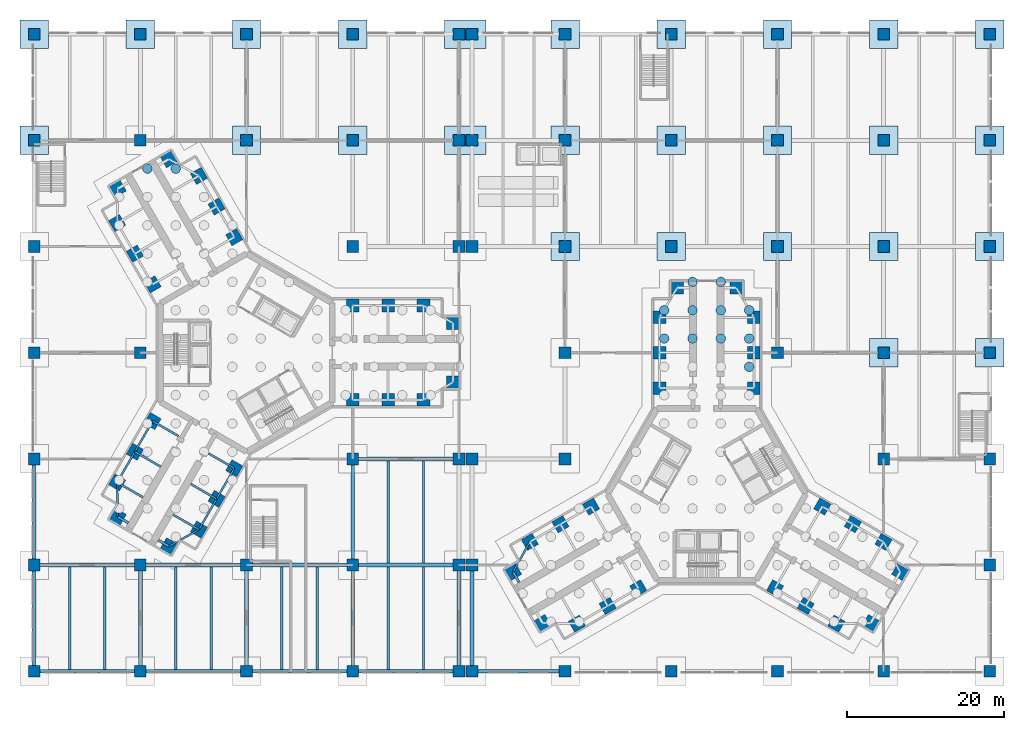
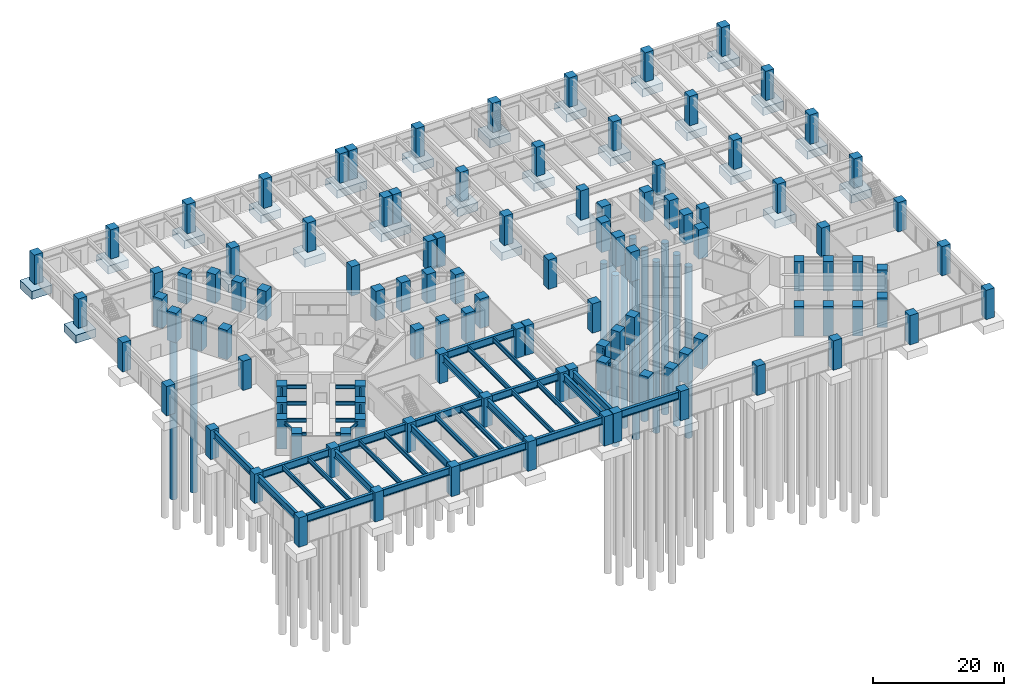
# One storey, part 2 of 18: 110 columns, 44 beams, 26 footings, 13 piles.
"""IFC4 building model written with IfcOpenShell, lengths in metres."""

from ifc_helpers import new_model, si_unit, direction, frame, origin, origin_2d, place, context, subcontext, project, spatial, rectangle, circle, i_section, extrude, material, material_profile, profile_set, type_object, element, save


model = new_model("IFC4")

# Units and contexts
model_context = context("Model", 3, precision=1e-05, world=origin(), true_north=direction((0.0, 1.0)))
body_context = subcontext(model_context, "Body", "Model", "MODEL_VIEW")
ifc_project = project(units=[si_unit("LENGTHUNIT", "METRE"), si_unit("AREAUNIT", "SQUARE_METRE"), si_unit("VOLUMEUNIT", "CUBIC_METRE"), si_unit("PLANEANGLEUNIT", "RADIAN"), si_unit("MASSUNIT", "GRAM", prefix="KILO")], contexts=[model_context])

# Site, building, storey
site_placement = place(None, origin())
site = spatial("IfcSite", under=ifc_project, at=site_placement, CompositionType="ELEMENT")
building_placement = place(site_placement, origin())
building = spatial("IfcBuilding", under=site, at=building_placement, Name="Upepo Twin Towers", CompositionType="ELEMENT")
storey_placement = place(building_placement, origin())
storey = spatial("IfcBuildingStorey", under=building, at=storey_placement, Name="L00", CompositionType="ELEMENT", Elevation=0.0)

# Piles
ifc_material_1 = material(Name="Concrete C40/50", Category="concrete")
pile_type = type_object("IfcPileType", Name="Bored pile 1200 dia", PredefinedType="BORED", material=ifc_material_1)
for number, where, z_axis, x_axis, name in (
    (1, (-12.60009765625, 23.39990234375, -3.199951171875), (0.0, 0.0, -1.0), (1.0, 0.0, 0.0), "T1 bored pile 14"),
    (2, (-9.0, 23.39990234375, -3.199951171875), (0.0, 0.0, -1.0), (1.0, 0.0, 0.0), "T1 bored pile 28"),
    (3, (53.10009765625, 1.800048828125, -3.199951171875), (0.0, 0.0, -1.0), (1.0, 0.0, 0.0), "T2 bored pile 28"),
    (4, (53.10009765625, 5.39990234375, -3.199951171875), (0.0, 0.0, -1.0), (1.0, 0.0, 0.0), "T2 bored pile 29"),
    (5, (56.699951171875, 1.800048828125, -3.199951171875), (0.0, 0.0, -1.0), (1.0, 0.0, 0.0), "T2 bored pile 36"),
    (6, (56.699951171875, 5.39990234375, -3.199951171875), (0.0, 0.0, -1.0), (1.0, 0.0, 0.0), "T2 bored pile 37"),
    (7, (56.699951171875, 9.0, -3.199951171875), (0.0, 0.0, -1.0), (1.0, 0.0, 0.0), "T2 bored pile 38"),
    (8, (60.300048828125, 1.800048828125, -3.199951171875), (0.0, 0.0, -1.0), (1.0, 0.0, 0.0), "T2 bored pile 46"),
    (9, (60.300048828125, 5.39990234375, -3.199951171875), (0.0, 0.0, -1.0), (1.0, 0.0, 0.0), "T2 bored pile 47"),
    (10, (60.300048828125, 9.0, -3.199951171875), (0.0, 0.0, -1.0), (1.0, 0.0, 0.0), "T2 bored pile 48"),
    (11, (63.89990234375, -1.800048828125, -3.199951171875), (0.0, 0.0, -1.0), (1.0, 0.0, 0.0), "T2 bored pile 54"),
    (12, (63.89990234375, 1.800048828125, -3.199951171875), (0.0, 0.0, -1.0), (1.0, 0.0, 0.0), "T2 bored pile 55"),
    (13, (63.89990234375, 5.39990234375, -3.199951171875), (0.0, 0.0, -1.0), (1.0, 0.0, 0.0), "T2 bored pile 56"),
):
    element("IfcPile", number, at=place(storey_placement, frame(where, z_axis=z_axis, x_axis=x_axis)), inside=storey, type_object=pile_type, Name=name, PredefinedType="BORED", context=body_context, shape_type="SweptSolid", body=[
        extrude(circle(Radius=0.60009765625, at=origin_2d()), origin(), (0.0, 0.0, 1.0), 32.0),
    ])

# Footings
ifc_material_2 = material(Name="Concrete C40/50", Category="concrete")
footing_type_1 = type_object("IfcFootingType", Name="Combined pad footing 4650x3600x1500 at the podium joint", PredefinedType="PAD_FOOTING", material=ifc_material_2)
for number, where, z_axis, x_axis, name in (
    (14, (27.824951171875, 27.0, -1.800048828125), (0.0, 0.0, 1.0), (1.0, 0.0, 0.0), "Combined pad footing F/5-5a"),
    (15, (27.824951171875, 40.5, -1.800048828125), (0.0, 0.0, 1.0), (1.0, 0.0, 0.0), "Combined pad footing G/5-5a"),
):
    element("IfcFooting", number, at=place(storey_placement, frame(where, z_axis=z_axis, x_axis=x_axis)), inside=storey, type_object=footing_type_1, Name=name, PredefinedType="PAD_FOOTING", context=body_context, shape_type="SweptSolid", body=[
        extrude(rectangle(XDim=5.25, YDim=3.60009765625, at=origin_2d()), origin(), (0.0, 0.0, 1.0), 1.5),
    ])
ifc_material_3 = material(Name="Concrete C40/50", Category="concrete")
footing_type_2 = type_object("IfcFootingType", Name="Podium pad footing 3600x3600x1500", PredefinedType="PAD_FOOTING", material=ifc_material_3)
for number, where, z_axis, x_axis, name in (
    (16, (81.0, 0.0, -1.800048828125), (0.0, 0.0, 1.0), (1.0, 0.0, 0.0), "Pad footing D/9"),
    (17, (94.5, 0.0, -1.800048828125), (0.0, 0.0, 1.0), (1.0, 0.0, 0.0), "Pad footing D/10"),
    (18, (40.5, 13.5, -1.800048828125), (0.0, 0.0, 1.0), (1.0, 0.0, 0.0), "Pad footing E/6"),
    (19, (54.0, 13.5, -1.800048828125), (0.0, 0.0, 1.0), (1.0, 0.0, 0.0), "Pad footing E/7"),
    (20, (67.5, 13.5, -1.800048828125), (0.0, 0.0, 1.0), (1.0, 0.0, 0.0), "Pad footing E/8"),
    (21, (81.0, 13.5, -1.800048828125), (0.0, 0.0, 1.0), (1.0, 0.0, 0.0), "Pad footing E/9"),
    (22, (94.5, 13.5, -1.800048828125), (0.0, 0.0, 1.0), (1.0, 0.0, 0.0), "Pad footing E/10"),
    (23, (-27.0, 27.0, -1.800048828125), (0.0, 0.0, 1.0), (1.0, 0.0, 0.0), "Pad footing F/1"),
    (24, (0.0, 27.0, -1.800048828125), (0.0, 0.0, 1.0), (1.0, 0.0, 0.0), "Pad footing F/3"),
    (25, (13.5, 27.0, -1.800048828125), (0.0, 0.0, 1.0), (1.0, 0.0, 0.0), "Pad footing F/4"),
    (26, (40.5, 27.0, -1.800048828125), (0.0, 0.0, 1.0), (1.0, 0.0, 0.0), "Pad footing F/6"),
    (27, (54.0, 27.0, -1.800048828125), (0.0, 0.0, 1.0), (1.0, 0.0, 0.0), "Pad footing F/7"),
    (28, (67.5, 27.0, -1.800048828125), (0.0, 0.0, 1.0), (1.0, 0.0, 0.0), "Pad footing F/8"),
    (29, (81.0, 27.0, -1.800048828125), (0.0, 0.0, 1.0), (1.0, 0.0, 0.0), "Pad footing F/9"),
    (30, (94.5, 27.0, -1.800048828125), (0.0, 0.0, 1.0), (1.0, 0.0, 0.0), "Pad footing F/10"),
    (31, (-27.0, 40.5, -1.800048828125), (0.0, 0.0, 1.0), (1.0, 0.0, 0.0), "Pad footing G/1"),
    (32, (-13.5, 40.5, -1.800048828125), (0.0, 0.0, 1.0), (1.0, 0.0, 0.0), "Pad footing G/2"),
    (33, (0.0, 40.5, -1.800048828125), (0.0, 0.0, 1.0), (1.0, 0.0, 0.0), "Pad footing G/3"),
    (34, (13.5, 40.5, -1.800048828125), (0.0, 0.0, 1.0), (1.0, 0.0, 0.0), "Pad footing G/4"),
    (35, (40.5, 40.5, -1.800048828125), (0.0, 0.0, 1.0), (1.0, 0.0, 0.0), "Pad footing G/6"),
    (36, (54.0, 40.5, -1.800048828125), (0.0, 0.0, 1.0), (1.0, 0.0, 0.0), "Pad footing G/7"),
    (37, (67.5, 40.5, -1.800048828125), (0.0, 0.0, 1.0), (1.0, 0.0, 0.0), "Pad footing G/8"),
    (38, (81.0, 40.5, -1.800048828125), (0.0, 0.0, 1.0), (1.0, 0.0, 0.0), "Pad footing G/9"),
    (39, (94.5, 40.5, -1.800048828125), (0.0, 0.0, 1.0), (1.0, 0.0, 0.0), "Pad footing G/10"),
):
    element("IfcFooting", number, at=place(storey_placement, frame(where, z_axis=z_axis, x_axis=x_axis)), inside=storey, type_object=footing_type_2, Name=name, PredefinedType="PAD_FOOTING", context=body_context, shape_type="SweptSolid", body=[
        extrude(rectangle(XDim=3.60009765625, YDim=3.60009765625, at=origin_2d()), origin(), (0.0, 0.0, 1.0), 1.5),
    ])

# Columns
ifc_material_4 = material(Name="Concrete C60/75", Category="concrete")
ifc_material_profile_1 = material_profile(ifc_material_4, rectangle(XDim=1.5, YDim=1.5, at=origin_2d()), Name="RC 1500x1500")
ifc_profile_set_1 = profile_set([ifc_material_profile_1], Name="Concrete C60/75")
column_type_1 = type_object("IfcColumnType", Name="Podium column RC 1500x1500", PredefinedType="COLUMN", material=ifc_profile_set_1)
for number, where, z_axis, x_axis, name in (
    (40, (-27.0, -40.5, 0.0), (0.0, 0.0, 1.0), (1.0, 0.0, 0.0), "Podium column A/1"),
    (41, (-13.5, -40.5, 0.0), (0.0, 0.0, 1.0), (1.0, 0.0, 0.0), "Podium column A/2"),
    (42, (0.0, -40.5, 0.0), (0.0, 0.0, 1.0), (1.0, 0.0, 0.0), "Podium column A/3"),
    (43, (13.5, -40.5, 0.0), (0.0, 0.0, 1.0), (1.0, 0.0, 0.0), "Podium column A/4"),
    (44, (27.0, -40.5, 0.0), (0.0, 0.0, 1.0), (1.0, 0.0, 0.0), "Podium column A/5"),
    (45, (28.64990234375, -40.5, 0.0), (0.0, 0.0, 1.0), (1.0, 0.0, 0.0), "Podium column A/5a"),
    (46, (40.5, -40.5, 0.0), (0.0, 0.0, 1.0), (1.0, 0.0, 0.0), "Podium column A/6"),
    (47, (54.0, -40.5, 0.0), (0.0, 0.0, 1.0), (1.0, 0.0, 0.0), "Podium column A/7"),
    (48, (67.5, -40.5, 0.0), (0.0, 0.0, 1.0), (1.0, 0.0, 0.0), "Podium column A/8"),
    (49, (81.0, -40.5, 0.0), (0.0, 0.0, 1.0), (1.0, 0.0, 0.0), "Podium column A/9"),
    (50, (94.5, -40.5, 0.0), (0.0, 0.0, 1.0), (1.0, 0.0, 0.0), "Podium column A/10"),
    (51, (-27.0, -27.0, 0.0), (0.0, 0.0, 1.0), (1.0, 0.0, 0.0), "Podium column B/1"),
    (52, (-13.5, -27.0, 0.0), (0.0, 0.0, 1.0), (1.0, 0.0, 0.0), "Podium column B/2"),
    (53, (0.0, -27.0, 0.0), (0.0, 0.0, 1.0), (1.0, 0.0, 0.0), "Podium column B/3"),
    (54, (13.5, -27.0, 0.0), (0.0, 0.0, 1.0), (1.0, 0.0, 0.0), "Podium column B/4"),
    (55, (27.0, -27.0, 0.0), (0.0, 0.0, 1.0), (1.0, 0.0, 0.0), "Podium column B/5"),
    (56, (28.64990234375, -27.0, 0.0), (0.0, 0.0, 1.0), (1.0, 0.0, 0.0), "Podium column B/5a"),
    (57, (94.5, -27.0, 0.0), (0.0, 0.0, 1.0), (1.0, 0.0, 0.0), "Podium column B/10"),
    (58, (-27.0, -13.5, 0.0), (0.0, 0.0, 1.0), (1.0, 0.0, 0.0), "Podium column C/1"),
    (59, (13.5, -13.5, 0.0), (0.0, 0.0, 1.0), (1.0, 0.0, 0.0), "Podium column C/4"),
    (60, (27.0, -13.5, 0.0), (0.0, 0.0, 1.0), (1.0, 0.0, 0.0), "Podium column C/5"),
    (61, (28.64990234375, -13.5, 0.0), (0.0, 0.0, 1.0), (1.0, 0.0, 0.0), "Podium column C/5a"),
    (62, (40.5, -13.5, 0.0), (0.0, 0.0, 1.0), (1.0, 0.0, 0.0), "Podium column C/6"),
    (63, (81.0, -13.5, 0.0), (0.0, 0.0, 1.0), (1.0, 0.0, 0.0), "Podium column C/9"),
    (64, (94.5, -13.5, 0.0), (0.0, 0.0, 1.0), (1.0, 0.0, 0.0), "Podium column C/10"),
    (65, (-27.0, 0.0, 0.0), (0.0, 0.0, 1.0), (1.0, 0.0, 0.0), "Podium column D/1"),
    (66, (-13.5, 0.0, 0.0), (0.0, 0.0, 1.0), (1.0, 0.0, 0.0), "Podium column D/2"),
    (67, (40.5, 0.0, 0.0), (0.0, 0.0, 1.0), (1.0, 0.0, 0.0), "Podium column D/6"),
    (68, (67.5, 0.0, 0.0), (0.0, 0.0, 1.0), (1.0, 0.0, 0.0), "Podium column D/8"),
    (69, (81.0, 0.0, 0.0), (0.0, 0.0, 1.0), (1.0, 0.0, 0.0), "Podium column D/9"),
    (70, (94.5, 0.0, 0.0), (0.0, 0.0, 1.0), (1.0, 0.0, 0.0), "Podium column D/10"),
    (71, (-27.0, 13.5, 0.0), (0.0, 0.0, 1.0), (1.0, 0.0, 0.0), "Podium column E/1"),
    (72, (13.5, 13.5, 0.0), (0.0, 0.0, 1.0), (1.0, 0.0, 0.0), "Podium column E/4"),
    (73, (27.0, 13.5, 0.0), (0.0, 0.0, 1.0), (1.0, 0.0, 0.0), "Podium column E/5"),
    (74, (28.64990234375, 13.5, 0.0), (0.0, 0.0, 1.0), (1.0, 0.0, 0.0), "Podium column E/5a"),
    (75, (40.5, 13.5, 0.0), (0.0, 0.0, 1.0), (1.0, 0.0, 0.0), "Podium column E/6"),
    (76, (54.0, 13.5, 0.0), (0.0, 0.0, 1.0), (1.0, 0.0, 0.0), "Podium column E/7"),
    (77, (67.5, 13.5, 0.0), (0.0, 0.0, 1.0), (1.0, 0.0, 0.0), "Podium column E/8"),
    (78, (81.0, 13.5, 0.0), (0.0, 0.0, 1.0), (1.0, 0.0, 0.0), "Podium column E/9"),
    (79, (94.5, 13.5, 0.0), (0.0, 0.0, 1.0), (1.0, 0.0, 0.0), "Podium column E/10"),
    (80, (-27.0, 27.0, 0.0), (0.0, 0.0, 1.0), (1.0, 0.0, 0.0), "Podium column F/1"),
    (81, (-13.5, 27.0, 0.0), (0.0, 0.0, 1.0), (1.0, 0.0, 0.0), "Podium column F/2"),
    (82, (0.0, 27.0, 0.0), (0.0, 0.0, 1.0), (1.0, 0.0, 0.0), "Podium column F/3"),
    (83, (13.5, 27.0, 0.0), (0.0, 0.0, 1.0), (1.0, 0.0, 0.0), "Podium column F/4"),
    (84, (27.0, 27.0, 0.0), (0.0, 0.0, 1.0), (1.0, 0.0, 0.0), "Podium column F/5"),
    (85, (28.64990234375, 27.0, 0.0), (0.0, 0.0, 1.0), (1.0, 0.0, 0.0), "Podium column F/5a"),
    (86, (40.5, 27.0, 0.0), (0.0, 0.0, 1.0), (1.0, 0.0, 0.0), "Podium column F/6"),
    (87, (54.0, 27.0, 0.0), (0.0, 0.0, 1.0), (1.0, 0.0, 0.0), "Podium column F/7"),
    (88, (67.5, 27.0, 0.0), (0.0, 0.0, 1.0), (1.0, 0.0, 0.0), "Podium column F/8"),
    (89, (81.0, 27.0, 0.0), (0.0, 0.0, 1.0), (1.0, 0.0, 0.0), "Podium column F/9"),
    (90, (94.5, 27.0, 0.0), (0.0, 0.0, 1.0), (1.0, 0.0, 0.0), "Podium column F/10"),
    (91, (-27.0, 40.5, 0.0), (0.0, 0.0, 1.0), (1.0, 0.0, 0.0), "Podium column G/1"),
    (92, (-13.5, 40.5, 0.0), (0.0, 0.0, 1.0), (1.0, 0.0, 0.0), "Podium column G/2"),
    (93, (0.0, 40.5, 0.0), (0.0, 0.0, 1.0), (1.0, 0.0, 0.0), "Podium column G/3"),
    (94, (13.5, 40.5, 0.0), (0.0, 0.0, 1.0), (1.0, 0.0, 0.0), "Podium column G/4"),
    (95, (27.0, 40.5, 0.0), (0.0, 0.0, 1.0), (1.0, 0.0, 0.0), "Podium column G/5"),
    (96, (28.64990234375, 40.5, 0.0), (0.0, 0.0, 1.0), (1.0, 0.0, 0.0), "Podium column G/5a"),
    (97, (40.5, 40.5, 0.0), (0.0, 0.0, 1.0), (1.0, 0.0, 0.0), "Podium column G/6"),
    (98, (54.0, 40.5, 0.0), (0.0, 0.0, 1.0), (1.0, 0.0, 0.0), "Podium column G/7"),
    (99, (67.5, 40.5, 0.0), (0.0, 0.0, 1.0), (1.0, 0.0, 0.0), "Podium column G/8"),
    (100, (81.0, 40.5, 0.0), (0.0, 0.0, 1.0), (1.0, 0.0, 0.0), "Podium column G/9"),
    (101, (94.5, 40.5, 0.0), (0.0, 0.0, 1.0), (1.0, 0.0, 0.0), "Podium column G/10"),
):
    element("IfcColumn", number, at=place(storey_placement, frame(where, z_axis=z_axis, x_axis=x_axis)), inside=storey, type_object=column_type_1, Name=name, PredefinedType="COLUMN", context=body_context, shape_type="SweptSolid", body=[
        extrude(rectangle(XDim=1.5, YDim=1.5, at=origin_2d()), origin(), (0.0, 0.0, 1.0), 5.5),
    ])
ifc_material_5 = material(Name="Concrete C60/75", Category="concrete")
ifc_material_profile_2 = material_profile(ifc_material_5, rectangle(XDim=1.60009765625, YDim=1.60009765625, at=origin_2d()), Name="RC 1600x1600")
ifc_profile_set_2 = profile_set([ifc_material_profile_2], Name="Concrete C60/75")
column_type_2 = type_object("IfcColumnType", Name="Tower column RC 1600x1600", PredefinedType="COLUMN", material=ifc_profile_set_2)
for number, where, z_axis, x_axis, name in (
    (102, (13.5, 6.0, 0.0), (0.0, 0.0, 1.0), (1.0, 0.0, 0.0), "T1 column AL135"),
    (103, (13.5, -6.0, 0.0), (0.0, 0.0, 1.0), (1.0, 0.0, 0.0), "T1 column AR135"),
    (104, (18.0, 6.0, 0.0), (0.0, 0.0, 1.0), (1.0, 0.0, 0.0), "T1 column AL180"),
    (105, (18.0, -6.0, 0.0), (0.0, 0.0, 1.0), (1.0, 0.0, 0.0), "T1 column AR180"),
    (106, (22.5, 6.0, 0.0), (0.0, 0.0, 1.0), (1.0, 0.0, 0.0), "T1 column AL225"),
    (107, (22.5, -6.0, 0.0), (0.0, 0.0, 1.0), (1.0, 0.0, 0.0), "T1 column AR225"),
    (108, (26.25, 3.75, 0.0), (0.0, 0.0, 1.0), (1.0, 0.0, 0.0), "T1 column ALN"),
    (109, (26.25, -3.75, 0.0), (0.0, 0.0, 1.0), (1.0, 0.0, 0.0), "T1 column ARN"),
    (110, (-11.946044921875, 8.69140625, 0.0), (0.0, 0.0, 1.0), (0.866025403784, 0.5, 0.0), "T1 column BL135"),
    (111, (-1.553955078125, 14.69140625, 0.0), (0.0, 0.0, 1.0), (0.866025403784, 0.5, 0.0), "T1 column BR135"),
    (112, (-14.196044921875, 12.58837890625, 0.0), (0.0, 0.0, 1.0), (0.866025403784, 0.5, 0.0), "T1 column BL180"),
    (113, (-3.803955078125, 18.58837890625, 0.0), (0.0, 0.0, 1.0), (0.866025403784, 0.5, 0.0), "T1 column BR180"),
    (114, (-16.446044921875, 16.485595703125, 0.0), (0.0, 0.0, 1.0), (0.866025403784, 0.5, 0.0), "T1 column BL225"),
    (115, (-6.053955078125, 22.485595703125, 0.0), (0.0, 0.0, 1.0), (0.866025403784, 0.5, 0.0), "T1 column BR225"),
    (116, (-16.37255859375, 20.858154296875, 0.0), (0.0, 0.0, 1.0), (0.866025403784, 0.5, 0.0), "T1 column BLN"),
    (117, (-9.87744140625, 24.608154296875, 0.0), (0.0, 0.0, 1.0), (0.866025403784, 0.5, 0.0), "T1 column BRN"),
    (118, (-1.553955078125, -14.69140625, 0.0), (0.0, 0.0, 1.0), (0.5, 0.866025403784, 0.0), "T1 column CL135"),
    (119, (-11.946044921875, -8.69140625, 0.0), (0.0, 0.0, 1.0), (0.5, 0.866025403784, 0.0), "T1 column CR135"),
    (120, (-3.803955078125, -18.58837890625, 0.0), (0.0, 0.0, 1.0), (0.5, 0.866025403784, 0.0), "T1 column CL180"),
    (121, (-14.196044921875, -12.58837890625, 0.0), (0.0, 0.0, 1.0), (0.5, 0.866025403784, 0.0), "T1 column CR180"),
    (122, (-6.053955078125, -22.485595703125, 0.0), (0.0, 0.0, 1.0), (0.5, 0.866025403784, 0.0), "T1 column CL225"),
    (123, (-16.446044921875, -16.485595703125, 0.0), (0.0, 0.0, 1.0), (0.5, 0.866025403784, 0.0), "T1 column CR225"),
    (124, (-9.87744140625, -24.608154296875, 0.0), (0.0, 0.0, 1.0), (0.5, 0.866025403784, 0.0), "T1 column CLN"),
    (125, (-16.37255859375, -20.858154296875, 0.0), (0.0, 0.0, 1.0), (0.5, 0.866025403784, 0.0), "T1 column CRN"),
    (126, (52.5, -4.5, 0.0), (0.0, 0.0, 1.0), (1.0, 0.0, 0.0), "T2 column AL135"),
    (127, (64.5, -4.5, 0.0), (0.0, 0.0, 1.0), (1.0, 0.0, 0.0), "T2 column AR135"),
    (128, (52.5, 0.0, 0.0), (0.0, 0.0, 1.0), (1.0, 0.0, 0.0), "T2 column AL180"),
    (129, (64.5, 0.0, 0.0), (0.0, 0.0, 1.0), (1.0, 0.0, 0.0), "T2 column AR180"),
    (130, (52.5, 4.5, 0.0), (0.0, 0.0, 1.0), (1.0, 0.0, 0.0), "T2 column AL225"),
    (131, (64.5, 4.5, 0.0), (0.0, 0.0, 1.0), (1.0, 0.0, 0.0), "T2 column AR225"),
    (132, (54.75, 8.25, 0.0), (0.0, 0.0, 1.0), (1.0, 0.0, 0.0), "T2 column ALN"),
    (133, (62.25, 8.25, 0.0), (0.0, 0.0, 1.0), (1.0, 0.0, 0.0), "T2 column ARN"),
    (134, (49.80859375, -29.946044921875, 0.0), (0.0, 0.0, 1.0), (0.866025403784, 0.5, 0.0), "T2 column BL135"),
    (135, (43.80859375, -19.553955078125, 0.0), (0.0, 0.0, 1.0), (0.866025403784, 0.5, 0.0), "T2 column BR135"),
    (136, (45.91162109375, -32.196044921875, 0.0), (0.0, 0.0, 1.0), (0.866025403784, 0.5, 0.0), "T2 column BL180"),
    (137, (39.91162109375, -21.803955078125, 0.0), (0.0, 0.0, 1.0), (0.866025403784, 0.5, 0.0), "T2 column BR180"),
    (138, (42.014404296875, -34.446044921875, 0.0), (0.0, 0.0, 1.0), (0.866025403784, 0.5, 0.0), "T2 column BL225"),
    (139, (36.014404296875, -24.053955078125, 0.0), (0.0, 0.0, 1.0), (0.866025403784, 0.5, 0.0), "T2 column BR225"),
    (140, (37.641845703125, -34.37255859375, 0.0), (0.0, 0.0, 1.0), (0.866025403784, 0.5, 0.0), "T2 column BLN"),
    (141, (33.891845703125, -27.87744140625, 0.0), (0.0, 0.0, 1.0), (0.866025403784, 0.5, 0.0), "T2 column BRN"),
    (142, (73.19140625, -19.553955078125, 0.0), (0.0, 0.0, 1.0), (0.5, 0.866025403784, 0.0), "T2 column CL135"),
    (143, (67.19140625, -29.946044921875, 0.0), (0.0, 0.0, 1.0), (0.5, 0.866025403784, 0.0), "T2 column CR135"),
    (144, (77.08837890625, -21.803955078125, 0.0), (0.0, 0.0, 1.0), (0.5, 0.866025403784, 0.0), "T2 column CL180"),
    (145, (71.08837890625, -32.196044921875, 0.0), (0.0, 0.0, 1.0), (0.5, 0.866025403784, 0.0), "T2 column CR180"),
    (146, (80.985595703125, -24.053955078125, 0.0), (0.0, 0.0, 1.0), (0.5, 0.866025403784, 0.0), "T2 column CL225"),
    (147, (74.985595703125, -34.446044921875, 0.0), (0.0, 0.0, 1.0), (0.5, 0.866025403784, 0.0), "T2 column CR225"),
    (148, (83.108154296875, -27.87744140625, 0.0), (0.0, 0.0, 1.0), (0.5, 0.866025403784, 0.0), "T2 column CLN"),
    (149, (79.358154296875, -34.37255859375, 0.0), (0.0, 0.0, 1.0), (0.5, 0.866025403784, 0.0), "T2 column CRN"),
):
    element("IfcColumn", number, at=place(storey_placement, frame(where, z_axis=z_axis, x_axis=x_axis)), inside=storey, type_object=column_type_2, Name=name, PredefinedType="COLUMN", context=body_context, shape_type="SweptSolid", body=[
        extrude(rectangle(XDim=1.60009765625, YDim=1.60009765625, at=origin_2d()), origin(), (0.0, 0.0, 1.0), 5.5),
    ])

# Beams
ifc_material_6 = material(Name="Steel S355", Category="steel")
ifc_material_profile_3 = material_profile(ifc_material_6, i_section(OverallWidth=0.5, OverallDepth=1.39990234375, WebThickness=0.02490234375, FlangeThickness=0.050048828125, FilletRadius=0.008056640625, at=origin_2d()), Name="PG 1400x500x25x50")
ifc_profile_set_3 = profile_set([ifc_material_profile_3], Name="Steel S355")
beam_type_1 = type_object("IfcBeamType", Name="Beam PG 1400x500x25x50", PredefinedType="BEAM", material=ifc_profile_set_3)
for number, where, z_axis, x_axis, name in (
    (150, (-27.0, -40.5, 4.449951171875), (1.0, 0.0, 0.0), (0.0, 1.0, 0.0), "Podium girder A/1-2"),
    (151, (-13.5, -40.5, 4.449951171875), (1.0, 0.0, 0.0), (0.0, 1.0, 0.0), "Podium girder A/2-3"),
    (152, (0.0, -40.5, 4.449951171875), (1.0, 0.0, 0.0), (0.0, 1.0, 0.0), "Podium girder A/3-4"),
    (153, (13.5, -40.5, 4.449951171875), (1.0, 0.0, 0.0), (0.0, 1.0, 0.0), "Podium girder A/4-5"),
):
    element("IfcBeam", number, at=place(storey_placement, frame(where, z_axis=z_axis, x_axis=x_axis)), inside=storey, type_object=beam_type_1, Name=name, PredefinedType="BEAM", context=body_context, shape_type="SweptSolid", body=[
        extrude(i_section(OverallWidth=0.5, OverallDepth=1.39990234375, WebThickness=0.02490234375, FlangeThickness=0.050048828125, FilletRadius=0.008056640625, at=origin_2d()), origin(), (0.0, 0.0, 1.0), 13.5),
    ])
beam_1_placement = place(storey_placement, frame((28.64990234375, -40.5, 4.449951171875), z_axis=(1.0, 0.0, 0.0), x_axis=(0.0, 1.0, 0.0)))
element("IfcBeam", 154, at=beam_1_placement, inside=storey, type_object=beam_type_1, Name="Podium girder A/5a-6", PredefinedType="BEAM", context=body_context, shape_type="SweptSolid", body=[
    extrude(i_section(OverallWidth=0.5, OverallDepth=1.39990234375, WebThickness=0.02490234375, FlangeThickness=0.050048828125, FilletRadius=0.008056640625, at=origin_2d()), origin(), (0.0, 0.0, 1.0), 11.85009765625),
])
for number, where, z_axis, x_axis, name in (
    (155, (-27.0, -27.0, 4.449951171875), (1.0, 0.0, 0.0), (0.0, 1.0, 0.0), "Podium girder B/1-2"),
    (156, (-13.5, -27.0, 4.449951171875), (1.0, 0.0, 0.0), (0.0, 1.0, 0.0), "Podium girder B/2-3"),
    (157, (0.0, -27.0, 4.449951171875), (1.0, 0.0, 0.0), (0.0, 1.0, 0.0), "Podium girder B/3-4"),
    (158, (13.5, -27.0, 4.449951171875), (1.0, 0.0, 0.0), (0.0, 1.0, 0.0), "Podium girder B/4-5"),
    (159, (13.5, -13.5, 4.449951171875), (1.0, 0.0, 0.0), (0.0, 1.0, 0.0), "Podium girder C/4-5"),
    (160, (-27.0, -40.5, 4.449951171875), (0.0, 1.0, 0.0), (-1.0, 0.0, 0.0), "Podium girder 1/A-B"),
    (161, (-27.0, -27.0, 4.449951171875), (0.0, 1.0, 0.0), (-1.0, 0.0, 0.0), "Podium girder 1/B-C"),
    (162, (-13.5, -40.5, 4.449951171875), (0.0, 1.0, 0.0), (-1.0, 0.0, 0.0), "Podium girder 2/A-B"),
    (163, (0.0, -40.5, 4.449951171875), (0.0, 1.0, 0.0), (-1.0, 0.0, 0.0), "Podium girder 3/A-B"),
    (164, (13.5, -40.5, 4.449951171875), (0.0, 1.0, 0.0), (-1.0, 0.0, 0.0), "Podium girder 4/A-B"),
    (165, (13.5, -27.0, 4.449951171875), (0.0, 1.0, 0.0), (-1.0, 0.0, 0.0), "Podium girder 4/B-C"),
    (166, (27.0, -40.5, 4.449951171875), (0.0, 1.0, 0.0), (-1.0, 0.0, 0.0), "Podium girder 5/A-B"),
    (167, (28.64990234375, -40.5, 4.449951171875), (0.0, 1.0, 0.0), (-1.0, 0.0, 0.0), "Podium girder 5a/A-B"),
):
    element("IfcBeam", number, at=place(storey_placement, frame(where, z_axis=z_axis, x_axis=x_axis)), inside=storey, type_object=beam_type_1, Name=name, PredefinedType="BEAM", context=body_context, shape_type="SweptSolid", body=[
        extrude(i_section(OverallWidth=0.5, OverallDepth=1.39990234375, WebThickness=0.02490234375, FlangeThickness=0.050048828125, FilletRadius=0.008056640625, at=origin_2d()), origin(), (0.0, 0.0, 1.0), 13.5),
    ])
ifc_material_7 = material(Name="Steel S355", Category="steel")
ifc_material_profile_4 = material_profile(ifc_material_7, i_section(OverallWidth=0.31201171875, OverallDepth=0.54345703125, WebThickness=0.0126953125, FlangeThickness=0.020263671875, FilletRadius=0.0126953125, at=origin_2d()), Name="UB 533x312x150")
ifc_profile_set_4 = profile_set([ifc_material_profile_4], Name="Steel S355")
beam_type_2 = type_object("IfcBeamType", Name="Beam UB 533x312x150", PredefinedType="BEAM", material=ifc_profile_set_4)
for number, where, z_axis, x_axis, name in (
    (168, (-9.87744140625, -24.608154296875, 4.878173828125), (-0.866043940782, 0.499967891604, 0.0), (-0.499967891604, -0.866043940782, 0.0), "T1 nose beam CL"),
    (169, (-16.37255859375, -20.858154296875, 4.878173828125), (0.866043940782, -0.499967891604, 0.0), (0.499967891604, 0.866043940782, 0.0), "T1 nose beam CR"),
    (170, (33.891845703125, -27.87744140625, 4.878173828125), (0.499967891604, -0.866043940782, 0.0), (0.866043940782, 0.499967891604, 0.0), "T2 nose beam BR"),
):
    element("IfcBeam", number, at=place(storey_placement, frame(where, z_axis=z_axis, x_axis=x_axis)), inside=storey, type_object=beam_type_2, Name=name, PredefinedType="BEAM", context=body_context, shape_type="SweptSolid", body=[
        extrude(i_section(OverallWidth=0.31201171875, OverallDepth=0.54345703125, WebThickness=0.0126953125, FlangeThickness=0.020263671875, FilletRadius=0.0126953125, at=origin_2d()), origin(), (0.0, 0.0, 1.0), 1.5498046875),
    ])
ifc_material_8 = material(Name="Steel S355", Category="steel")
ifc_material_profile_5 = material_profile(ifc_material_8, i_section(OverallWidth=0.228271484375, OverallDepth=0.607666015625, WebThickness=0.010986328125, FlangeThickness=0.017333984375, FilletRadius=0.0126953125, at=origin_2d()), Name="UB 610x229x113")
ifc_profile_set_5 = profile_set([ifc_material_profile_5], Name="Steel S355")
beam_type_3 = type_object("IfcBeamType", Name="Beam UB 610x229x113", PredefinedType="BEAM", material=ifc_profile_set_5)
beam_2_placement = place(storey_placement, frame((-1.553955078125, -14.69140625, 4.84619140625), z_axis=(-0.500013631625, -0.866017533419, 0.0), x_axis=(0.866017533419, -0.500013631625, 0.0)))
element("IfcBeam", 171, at=beam_2_placement, inside=storey, type_object=beam_type_3, Name="T1 edge beam CL 13.5-18.0", PredefinedType="BEAM", context=body_context, shape_type="SweptSolid", body=[
    extrude(i_section(OverallWidth=0.228271484375, OverallDepth=0.607666015625, WebThickness=0.010986328125, FlangeThickness=0.017333984375, FilletRadius=0.0126953125, at=origin_2d()), origin(), (0.0, 0.0, 1.0), 4.499755859375),
])
beam_3_placement = place(storey_placement, frame((-3.803955078125, -18.58837890625, 4.84619140625), z_axis=(-0.499990139034, -0.866031096941, 0.0), x_axis=(0.866031096941, -0.499990139034, 0.0)))
element("IfcBeam", 172, at=beam_3_placement, inside=storey, type_object=beam_type_3, Name="T1 edge beam CL 18.0-22.5", PredefinedType="BEAM", context=body_context, shape_type="SweptSolid", body=[
    extrude(i_section(OverallWidth=0.228271484375, OverallDepth=0.607666015625, WebThickness=0.010986328125, FlangeThickness=0.017333984375, FilletRadius=0.0126953125, at=origin_2d()), origin(), (0.0, 0.0, 1.0), 4.5),
])
beam_4_placement = place(storey_placement, frame((-6.053955078125, -22.485595703125, 4.84619140625), z_axis=(-0.874312600038, -0.485363242752, 0.0), x_axis=(0.485363242752, -0.874312600038, 0.0)))
element("IfcBeam", 173, at=beam_4_placement, inside=storey, type_object=beam_type_3, Name="T1 nose edge beam CL", PredefinedType="BEAM", context=body_context, shape_type="SweptSolid", body=[
    extrude(i_section(OverallWidth=0.228271484375, OverallDepth=0.607666015625, WebThickness=0.010986328125, FlangeThickness=0.017333984375, FilletRadius=0.0126953125, at=origin_2d()), origin(), (0.0, 0.0, 1.0), 4.373046875),
])
beam_5_placement = place(storey_placement, frame((-11.946044921875, -8.69140625, 4.84619140625), z_axis=(-0.500013631625, -0.866017533419, 0.0), x_axis=(0.866017533419, -0.500013631625, 0.0)))
element("IfcBeam", 174, at=beam_5_placement, inside=storey, type_object=beam_type_3, Name="T1 edge beam CR 13.5-18.0", PredefinedType="BEAM", context=body_context, shape_type="SweptSolid", body=[
    extrude(i_section(OverallWidth=0.228271484375, OverallDepth=0.607666015625, WebThickness=0.010986328125, FlangeThickness=0.017333984375, FilletRadius=0.0126953125, at=origin_2d()), origin(), (0.0, 0.0, 1.0), 4.499755859375),
])
beam_6_placement = place(storey_placement, frame((-14.196044921875, -12.58837890625, 4.84619140625), z_axis=(-0.499990139034, -0.866031096941, 0.0), x_axis=(0.866031096941, -0.499990139034, 0.0)))
element("IfcBeam", 175, at=beam_6_placement, inside=storey, type_object=beam_type_3, Name="T1 edge beam CR 18.0-22.5", PredefinedType="BEAM", context=body_context, shape_type="SweptSolid", body=[
    extrude(i_section(OverallWidth=0.228271484375, OverallDepth=0.607666015625, WebThickness=0.010986328125, FlangeThickness=0.017333984375, FilletRadius=0.0126953125, at=origin_2d()), origin(), (0.0, 0.0, 1.0), 4.5),
])
beam_7_placement = place(storey_placement, frame((-16.446044921875, -16.485595703125, 4.84619140625), z_axis=(0.016803880528, -0.999858804832, 0.0), x_axis=(0.999858804832, 0.016803880528, 0.0)))
element("IfcBeam", 176, at=beam_7_placement, inside=storey, type_object=beam_type_3, Name="T1 nose edge beam CR", PredefinedType="BEAM", context=body_context, shape_type="SweptSolid", body=[
    extrude(i_section(OverallWidth=0.228271484375, OverallDepth=0.607666015625, WebThickness=0.010986328125, FlangeThickness=0.017333984375, FilletRadius=0.0126953125, at=origin_2d()), origin(), (0.0, 0.0, 1.0), 4.373291015625),
])
beam_8_placement = place(storey_placement, frame((36.014404296875, -24.053955078125, 4.84619140625), z_axis=(-0.485363242752, -0.874312600038, 0.0), x_axis=(0.874312600038, -0.485363242752, 0.0)))
element("IfcBeam", 177, at=beam_8_placement, inside=storey, type_object=beam_type_3, Name="T2 nose edge beam BR", PredefinedType="BEAM", context=body_context, shape_type="SweptSolid", body=[
    extrude(i_section(OverallWidth=0.228271484375, OverallDepth=0.607666015625, WebThickness=0.010986328125, FlangeThickness=0.017333984375, FilletRadius=0.0126953125, at=origin_2d()), origin(), (0.0, 0.0, 1.0), 4.373046875),
])
ifc_material_9 = material(Name="Steel S355", Category="steel")
ifc_material_profile_6 = material_profile(ifc_material_9, i_section(OverallWidth=0.253662109375, OverallDepth=0.68359375, WebThickness=0.012451171875, FlangeThickness=0.01904296875, FilletRadius=0.01513671875, at=origin_2d()), Name="UB 686x254x140")
ifc_profile_set_6 = profile_set([ifc_material_profile_6], Name="Steel S355")
beam_type_4 = type_object("IfcBeamType", Name="Beam UB 686x254x140", PredefinedType="BEAM", material=ifc_profile_set_6)
beam_9_placement = place(storey_placement, frame((-1.553955078125, -14.69140625, 4.808349609375), z_axis=(-0.866000483506, 0.500043160704, 0.0), x_axis=(-0.500043160704, -0.866000483506, 0.0)))
element("IfcBeam", 178, at=beam_9_placement, inside=storey, type_object=beam_type_4, Name="T1 girder CL at 13.5", PredefinedType="BEAM", context=body_context, shape_type="SweptSolid", body=[
    extrude(i_section(OverallWidth=0.253662109375, OverallDepth=0.68359375, WebThickness=0.012451171875, FlangeThickness=0.01904296875, FilletRadius=0.01513671875, at=origin_2d()), origin(), (0.0, 0.0, 1.0), 3.800048828125),
])
for number, where, z_axis, x_axis, name in (
    (179, (-3.803955078125, -18.58837890625, 4.808349609375), (-0.866028304915, 0.499994975061, 0.0), (-0.499994975061, -0.866028304915, 0.0), "T1 girder CL at 18.0"),
    (180, (-6.053955078125, -22.485595703125, 4.808349609375), (-0.866028304915, 0.499994975061, 0.0), (-0.499994975061, -0.866028304915, 0.0), "T1 girder CL at 22.5"),
    (181, (-11.946044921875, -8.69140625, 4.808349609375), (0.866028304915, -0.499994975061, 0.0), (0.499994975061, 0.866028304915, 0.0), "T1 girder CR at 13.5"),
):
    element("IfcBeam", number, at=place(storey_placement, frame(where, z_axis=z_axis, x_axis=x_axis)), inside=storey, type_object=beam_type_4, Name=name, PredefinedType="BEAM", context=body_context, shape_type="SweptSolid", body=[
        extrude(i_section(OverallWidth=0.253662109375, OverallDepth=0.68359375, WebThickness=0.012451171875, FlangeThickness=0.01904296875, FilletRadius=0.01513671875, at=origin_2d()), origin(), (0.0, 0.0, 1.0), 3.7998046875),
    ])
beam_10_placement = place(storey_placement, frame((-14.196044921875, -12.58837890625, 4.808349609375), z_axis=(0.866000483506, -0.500043160704, 0.0), x_axis=(0.500043160704, 0.866000483506, 0.0)))
element("IfcBeam", 182, at=beam_10_placement, inside=storey, type_object=beam_type_4, Name="T1 girder CR at 18.0", PredefinedType="BEAM", context=body_context, shape_type="SweptSolid", body=[
    extrude(i_section(OverallWidth=0.253662109375, OverallDepth=0.68359375, WebThickness=0.012451171875, FlangeThickness=0.01904296875, FilletRadius=0.01513671875, at=origin_2d()), origin(), (0.0, 0.0, 1.0), 3.800048828125),
])
beam_11_placement = place(storey_placement, frame((-16.446044921875, -16.485595703125, 4.808349609375), z_axis=(0.866028304915, -0.499994975061, 0.0), x_axis=(0.499994975061, 0.866028304915, 0.0)))
element("IfcBeam", 183, at=beam_11_placement, inside=storey, type_object=beam_type_4, Name="T1 girder CR at 22.5", PredefinedType="BEAM", context=body_context, shape_type="SweptSolid", body=[
    extrude(i_section(OverallWidth=0.253662109375, OverallDepth=0.68359375, WebThickness=0.012451171875, FlangeThickness=0.01904296875, FilletRadius=0.01513671875, at=origin_2d()), origin(), (0.0, 0.0, 1.0), 3.7998046875),
])
ifc_material_10 = material(Name="Steel S355", Category="steel")
ifc_material_profile_7 = material_profile(ifc_material_10, i_section(OverallWidth=0.305419921875, OverallDepth=0.91845703125, WebThickness=0.017333984375, FlangeThickness=0.02783203125, FilletRadius=0.01904296875, at=origin_2d()), Name="UB 914x305x253")
ifc_profile_set_7 = profile_set([ifc_material_profile_7], Name="Steel S355")
beam_type_5 = type_object("IfcBeamType", Name="Secondary beam UB 914x305x253", PredefinedType="JOIST", material=ifc_profile_set_7)
for number, where, z_axis, x_axis, name in (
    (184, (-22.5, -40.25, 4.69091796875), (0.0, 1.0, 0.0), (-1.0, 0.0, 0.0), "Podium secondary beam A1.1"),
    (185, (-18.0, -40.25, 4.69091796875), (0.0, 1.0, 0.0), (-1.0, 0.0, 0.0), "Podium secondary beam A1.2"),
    (186, (-9.0, -40.25, 4.69091796875), (0.0, 1.0, 0.0), (-1.0, 0.0, 0.0), "Podium secondary beam A2.1"),
    (187, (-4.5, -40.25, 4.69091796875), (0.0, 1.0, 0.0), (-1.0, 0.0, 0.0), "Podium secondary beam A2.2"),
    (188, (4.5, -40.25, 4.69091796875), (0.0, 1.0, 0.0), (-1.0, 0.0, 0.0), "Podium secondary beam A3.1"),
    (189, (9.0, -40.25, 4.69091796875), (0.0, 1.0, 0.0), (-1.0, 0.0, 0.0), "Podium secondary beam A3.2"),
    (190, (18.0, -40.25, 4.69091796875), (0.0, 1.0, 0.0), (-1.0, 0.0, 0.0), "Podium secondary beam A4.1"),
    (191, (22.5, -40.25, 4.69091796875), (0.0, 1.0, 0.0), (-1.0, 0.0, 0.0), "Podium secondary beam A4.2"),
    (192, (18.0, -26.75, 4.69091796875), (0.0, 1.0, 0.0), (-1.0, 0.0, 0.0), "Podium secondary beam B4.1"),
    (193, (22.5, -26.75, 4.69091796875), (0.0, 1.0, 0.0), (-1.0, 0.0, 0.0), "Podium secondary beam B4.2"),
):
    element("IfcBeam", number, at=place(storey_placement, frame(where, z_axis=z_axis, x_axis=x_axis)), inside=storey, type_object=beam_type_5, Name=name, PredefinedType="JOIST", context=body_context, shape_type="SweptSolid", body=[
        extrude(i_section(OverallWidth=0.305419921875, OverallDepth=0.91845703125, WebThickness=0.017333984375, FlangeThickness=0.02783203125, FilletRadius=0.01904296875, at=origin_2d()), origin(), (0.0, 0.0, 1.0), 13.0),
    ])

save(model, "model.ifc")
